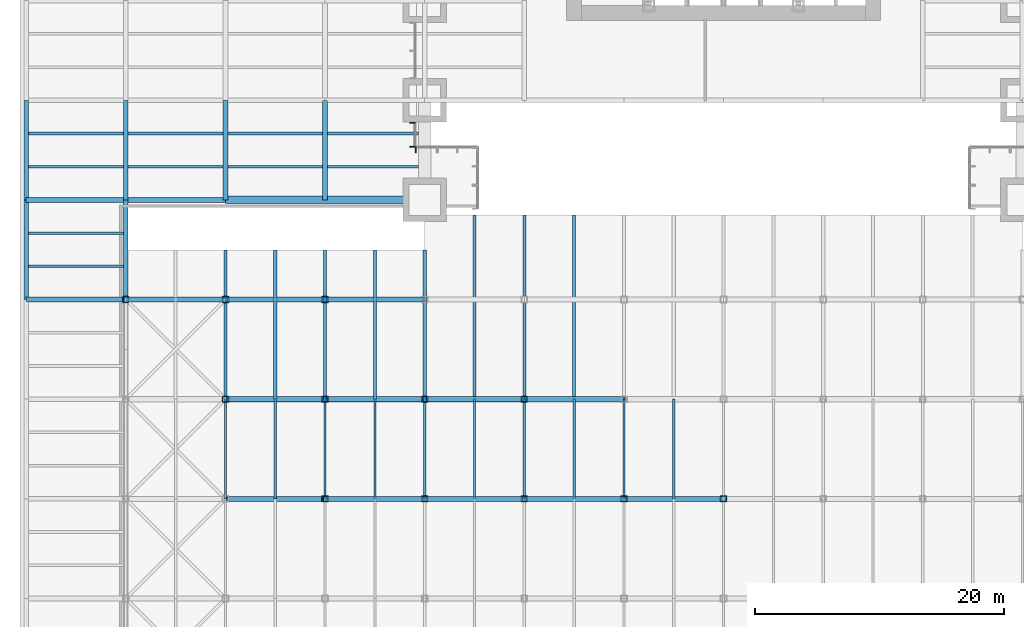
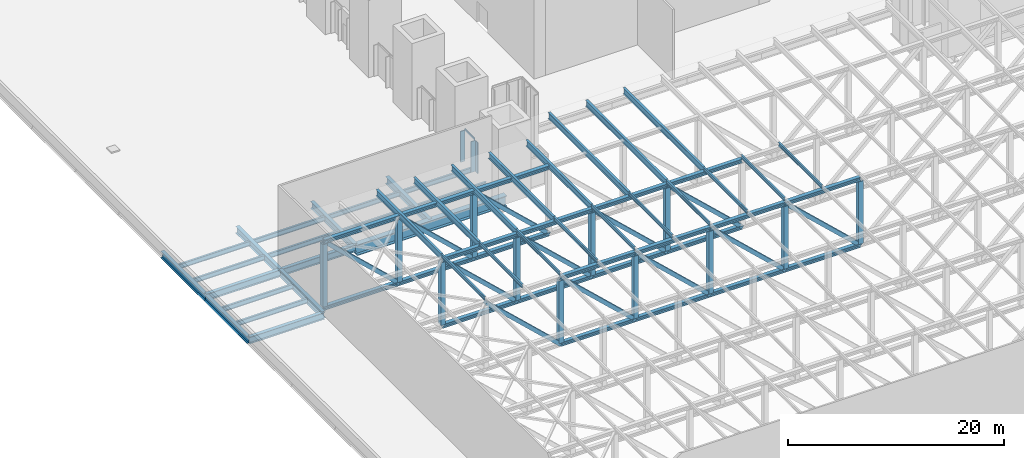
# One storey, part 3 of 20: 68 members, 20 beams, 2 elements without a shape of their own.
"""IFC4 building model written with IfcOpenShell, lengths in metres."""

from ifc_helpers import new_model, si_unit, direction, frame, origin, origin_2d, place, context, subcontext, project, spatial, rectangle, hollow_rectangle, i_section, extrude, material, material_profile, profile_set, type_object, element, aggregate, save


model = new_model("IFC4")

# Units and contexts
model_context = context("Model", 3, precision=1e-05, world=origin(), true_north=direction((0.0, 1.0)))
body_context = subcontext(model_context, "Body", "Model", "MODEL_VIEW")
ifc_project = project(units=[si_unit("LENGTHUNIT", "METRE"), si_unit("AREAUNIT", "SQUARE_METRE"), si_unit("VOLUMEUNIT", "CUBIC_METRE"), si_unit("PLANEANGLEUNIT", "RADIAN"), si_unit("MASSUNIT", "GRAM", prefix="KILO")], contexts=[model_context])

# Site, building, storey
site_placement = place(None, origin())
site = spatial("IfcSite", under=ifc_project, at=site_placement, CompositionType="ELEMENT")
building_placement = place(site_placement, origin())
building = spatial("IfcBuilding", under=site, at=building_placement, Name="Daluyong Arena Tower", CompositionType="ELEMENT")
storey_placement = place(building_placement, frame((0.0, 0.0, 25.89990234375)))
storey = spatial("IfcBuildingStorey", under=building, at=storey_placement, Name="L05", CompositionType="ELEMENT", Elevation=25.89990234375)

# Curtain wall, members
ifc_material_1 = material(Name="Bronze anodised aluminium and glass", Category="aluminium")
curtain_wall_type = type_object("IfcCurtainWallType", Name="Curtain wall CW6", PredefinedType="USERDEFINED", material=ifc_material_1)
curtain_wall_1_placement = place(storey_placement, origin())
curtain_wall_1 = element("IfcCurtainWall", 1, at=curtain_wall_1_placement, inside=storey, type_object=curtain_wall_type, Name="curtain wall L05 W bay 6", ObjectType="UNITISED CURTAIN WALL", PredefinedType="USERDEFINED")
ifc_material_2 = material(Name="Bronze anodised aluminium fin", Category="aluminium")
ifc_material_profile_1 = material_profile(ifc_material_2, rectangle(XDim=0.449951171875, YDim=0.080078125, at=origin_2d()))
ifc_profile_set_1 = profile_set([ifc_material_profile_1], Name="Bronze anodised aluminium fin")
member_type_1 = type_object("IfcMemberType", Name="CW6 bronze fin 450x80", PredefinedType="MULLION", material=ifc_profile_set_1)
member_1_placement = place(storey_placement, frame((31.02490234375, 62.2099609375, 0.0), z_axis=(0.0, 0.0, 1.0), x_axis=(1.0, 0.0, 0.0)))
member_1 = element("IfcMember", 2, at=member_1_placement, type_object=member_type_1, Name="curtain wall L05 W bay 6 fin 1", PredefinedType="MULLION", context=body_context, shape_type="SweptSolid", body=[
    extrude(rectangle(XDim=0.449951171875, YDim=0.080078125, at=origin_2d()), origin(), (0.0, 0.0, 1.0), 3.5),
])
member_2_placement = place(storey_placement, frame((31.02490234375, 60.2900390625, 0.0), z_axis=(0.0, 0.0, 1.0), x_axis=(1.0, 0.0, 0.0)))
member_2 = element("IfcMember", 3, at=member_2_placement, type_object=member_type_1, Name="curtain wall L05 W bay 6 fin 2", PredefinedType="MULLION", context=body_context, shape_type="SweptSolid", body=[
    extrude(rectangle(XDim=0.449951171875, YDim=0.080078125, at=origin_2d()), origin(), (0.0, 0.0, 1.0), 3.5),
])

# Curtain wall, member
curtain_wall_2_placement = place(storey_placement, origin())
curtain_wall_2 = element("IfcCurtainWall", 4, at=curtain_wall_2_placement, inside=storey, type_object=curtain_wall_type, Name="curtain wall L05 SW-S bay 1", ObjectType="UNITISED CURTAIN WALL", PredefinedType="USERDEFINED")
member_3_placement = place(storey_placement, frame((31.2900390625, 60.02490234375, 0.0), z_axis=(0.0, 0.0, 1.0), x_axis=(0.0, 1.0, 0.0)))
member_3 = element("IfcMember", 5, at=member_3_placement, type_object=member_type_1, Name="curtain wall L05 SW-S bay 1 fin 1", PredefinedType="MULLION", context=body_context, shape_type="SweptSolid", body=[
    extrude(rectangle(XDim=0.449951171875, YDim=0.080078125, at=origin_2d()), origin(), (0.0, 0.0, 1.0), 3.5),
])
aggregate(curtain_wall_2, [member_3])

# Member
ifc_material_3 = material(Name="Bronze anodised aluminium", Category="aluminium")
ifc_material_profile_2 = material_profile(ifc_material_3, rectangle(XDim=0.080078125, YDim=0.199951171875, at=origin_2d()))
ifc_profile_set_2 = profile_set([ifc_material_profile_2], Name="Bronze anodised aluminium")
member_type_2 = type_object("IfcMemberType", Name="CW6 stack transom 200x80", PredefinedType="USERDEFINED", material=ifc_profile_set_2)
member_4_placement = place(storey_placement, frame((31.25, 62.169921875, 3.60009765625), z_axis=(0.0, -1.0, 0.0), x_axis=(1.0, 0.0, 0.0)))
member_4 = element("IfcMember", 6, at=member_4_placement, type_object=member_type_2, Name="curtain wall L05 W bay 6 transom 1", ObjectType="TRANSOM", PredefinedType="USERDEFINED", context=body_context, shape_type="SweptSolid", body=[
    extrude(rectangle(XDim=0.080078125, YDim=0.199951171875, at=origin_2d()), origin(), (0.0, 0.0, 1.0), 1.83984375),
])

aggregate(curtain_wall_1, [member_1, member_2, member_4])

# Beams
ifc_material_4 = material(Name="Steel ASTM A992 Grade 50", Category="steel")
ifc_material_profile_3 = material_profile(ifc_material_4, i_section(OverallWidth=0.209228515625, OverallDepth=0.533447265625, WebThickness=0.01025390625, FlangeThickness=0.015625, at=origin_2d()))
ifc_profile_set_3 = profile_set([ifc_material_profile_3], Name="Steel ASTM A992 Grade 50")
beam_type_1 = type_object("IfcBeamType", Name="Podium floor beam W21X62", PredefinedType="BEAM", material=ifc_profile_set_3)
for number, where, z_axis, x_axis, name in (
    (7, (0.1904296875, 50.666748046875, -0.5166015625), (1.0, 0.0, 0.0), (0.0, 1.0, 0.0), "podium floor beam PB1"),
    (8, (0.1904296875, 53.333251953125, -0.5166015625), (1.0, 0.0, 0.0), (0.0, 1.0, 0.0), "podium floor beam PB1"),
    (9, (0.1904296875, 58.666748046875, -0.5166015625), (1.0, 0.0, 0.0), (0.0, 1.0, 0.0), "podium floor beam PB1"),
    (10, (0.1904296875, 61.333251953125, -0.5166015625), (1.0, 0.0, 0.0), (0.0, 1.0, 0.0), "podium floor beam PB1"),
    (11, (8.1904296875, 58.666748046875, -0.5166015625), (1.0, 0.0, 0.0), (0.0, 1.0, 0.0), "podium floor beam PB1"),
    (12, (8.1904296875, 61.333251953125, -0.5166015625), (1.0, 0.0, 0.0), (0.0, 1.0, 0.0), "podium floor beam PB1"),
    (13, (16.1904296875, 58.666748046875, -0.5166015625), (1.0, 0.0, 0.0), (0.0, 1.0, 0.0), "podium floor beam PB1"),
    (14, (16.1904296875, 61.333251953125, -0.5166015625), (1.0, 0.0, 0.0), (0.0, 1.0, 0.0), "podium floor beam PB1"),
):
    element("IfcBeam", number, at=place(storey_placement, frame(where, z_axis=z_axis, x_axis=x_axis)), inside=storey, type_object=beam_type_1, Name=name, PredefinedType="BEAM", context=body_context, shape_type="SweptSolid", body=[
        extrude(i_section(OverallWidth=0.209228515625, OverallDepth=0.533447265625, WebThickness=0.01025390625, FlangeThickness=0.015625, at=origin_2d()), origin(), (0.0, 0.0, 1.0), 7.619140625),
    ])
for number, where, z_axis, x_axis, name in (
    (15, (24.1904296875, 58.666748046875, -0.5166015625), (1.0, 0.0, 0.0), (0.0, 1.0, 0.0), "podium floor beam PB1"),
    (16, (24.1904296875, 61.333251953125, -0.5166015625), (1.0, 0.0, 0.0), (0.0, 1.0, 0.0), "podium floor beam PB1"),
):
    element("IfcBeam", number, at=place(storey_placement, frame(where, z_axis=z_axis, x_axis=x_axis)), inside=storey, type_object=beam_type_1, Name=name, PredefinedType="BEAM", context=body_context, shape_type="SweptSolid", body=[
        extrude(i_section(OverallWidth=0.209228515625, OverallDepth=0.533447265625, WebThickness=0.01025390625, FlangeThickness=0.015625, at=origin_2d()), origin(), (0.0, 0.0, 1.0), 7.3095703125),
    ])
ifc_material_5 = material(Name="Steel ASTM A992 Grade 50", Category="steel")
ifc_material_profile_4 = material_profile(ifc_material_5, i_section(OverallWidth=0.381103515625, OverallDepth=0.772216796875, WebThickness=0.0166015625, FlangeThickness=0.027099609375, at=origin_2d()))
ifc_profile_set_4 = profile_set([ifc_material_profile_4], Name="Steel ASTM A992 Grade 50")
beam_type_2 = type_object("IfcBeamType", Name="Podium girder W30X173", PredefinedType="BEAM", material=ifc_profile_set_4)
for number, where, z_axis, x_axis, name in (
    (17, (0.0, 48.0, -0.635986328125), (1.0, 0.0, 0.0), (0.0, 1.0, 0.0), "podium girder PG1"),
    (18, (0.0, 48.0, -0.635986328125), (0.0, 1.0, 0.0), (-1.0, 0.0, 0.0), "podium girder PG1"),
    (19, (0.0, 56.0, -0.635986328125), (1.0, 0.0, 0.0), (0.0, 1.0, 0.0), "podium girder PG1"),
    (20, (0.0, 56.0, -0.635986328125), (0.0, 1.0, 0.0), (-1.0, 0.0, 0.0), "podium girder PG1"),
    (21, (8.0, 48.0, -0.635986328125), (0.0, 1.0, 0.0), (-1.0, 0.0, 0.0), "podium girder PG1"),
    (22, (8.0, 56.0, -0.635986328125), (1.0, 0.0, 0.0), (0.0, 1.0, 0.0), "podium girder PG1"),
    (23, (8.0, 56.0, -0.635986328125), (0.0, 1.0, 0.0), (-1.0, 0.0, 0.0), "podium girder PG1"),
    (24, (16.0, 56.0, -0.635986328125), (0.0, 1.0, 0.0), (-1.0, 0.0, 0.0), "podium girder PG1"),
    (25, (24.0, 56.0, -0.635986328125), (0.0, 1.0, 0.0), (-1.0, 0.0, 0.0), "podium girder PG1"),
):
    element("IfcBeam", number, at=place(storey_placement, frame(where, z_axis=z_axis, x_axis=x_axis)), inside=storey, type_object=beam_type_2, Name=name, PredefinedType="BEAM", context=body_context, shape_type="SweptSolid", body=[
        extrude(i_section(OverallWidth=0.381103515625, OverallDepth=0.772216796875, WebThickness=0.0166015625, FlangeThickness=0.027099609375, at=origin_2d()), origin(), (0.0, 0.0, 1.0), 8.0),
    ])
ifc_material_6 = material(Name="Steel ASTM A572 Grade 50", Category="steel")
ifc_material_profile_5 = material_profile(ifc_material_6, i_section(OverallWidth=0.60009765625, OverallDepth=1.199951171875, WebThickness=0.03, FlangeThickness=0.08, at=origin_2d()))
ifc_profile_set_5 = profile_set([ifc_material_profile_5], Name="Steel ASTM A572 Grade 50")
beam_type_3 = type_object("IfcBeamType", Name="Podium roof long-span girder PG1200X600", PredefinedType="BEAM", material=ifc_profile_set_5)
beam_placement = place(storey_placement, frame((16.0, 56.0, -0.849853515625), z_axis=(1.0, 0.0, 0.0), x_axis=(0.0, 1.0, 0.0)))
element("IfcBeam", 26, at=beam_placement, inside=storey, type_object=beam_type_3, Name="podium roof long-span girder PL1", PredefinedType="BEAM", context=body_context, shape_type="SweptSolid", body=[
    extrude(i_section(OverallWidth=0.60009765625, OverallDepth=1.199951171875, WebThickness=0.03, FlangeThickness=0.08, at=origin_2d()), origin(), (0.0, 0.0, 1.0), 16.0),
])

# Members
ifc_material_7 = material(Name="Steel ASTM A992 Grade 50", Category="steel")
ifc_material_profile_6 = material_profile(ifc_material_7, i_section(OverallWidth=0.177734375, OverallDepth=0.406494140625, WebThickness=0.0078125, FlangeThickness=0.012939453125, at=origin_2d()))
ifc_profile_set_6 = profile_set([ifc_material_profile_6], Name="Steel ASTM A992 Grade 50")
member_type_3 = type_object("IfcMemberType", Name="Roof purlin W16X40", PredefinedType="PURLIN", material=ifc_profile_set_6)
for number, where, z_axis, x_axis, name in (
    (27, (16.0, 32.0, 8.1376953125), (0.0, 1.0, 0.0), (-1.0, 0.0, 0.0), "roof purlin RP1"),
    (28, (20.0, 32.0, 8.1376953125), (0.0, 1.0, 0.0), (-1.0, 0.0, 0.0), "roof purlin RP1"),
    (29, (24.0, 32.0, 8.1376953125), (0.0, 1.0, 0.0), (-1.0, 0.0, 0.0), "roof purlin RP1"),
    (30, (28.0, 32.0, 8.1376953125), (0.0, 1.0, 0.0), (-1.0, 0.0, 0.0), "roof purlin RP1"),
    (31, (32.0, 32.0, 8.1376953125), (0.0, 1.0, 0.0), (-1.0, 0.0, 0.0), "roof purlin RP1"),
    (32, (36.0, 32.0, 8.1376953125), (0.0, 1.0, 0.0), (-1.0, 0.0, 0.0), "roof purlin RP1"),
    (33, (40.0, 32.0, 8.1376953125), (0.0, 1.0, 0.0), (-1.0, 0.0, 0.0), "roof purlin RP1"),
    (34, (44.0, 32.0, 8.1376953125), (0.0, 1.0, 0.0), (-1.0, 0.0, 0.0), "roof purlin RP1"),
    (35, (48.0, 32.0, 8.1376953125), (0.0, 1.0, 0.0), (-1.0, 0.0, 0.0), "roof purlin RP1"),
    (36, (52.0, 32.0, 8.1376953125), (0.0, 1.0, 0.0), (-1.0, 0.0, 0.0), "roof purlin RP1"),
):
    element("IfcMember", number, at=place(storey_placement, frame(where, z_axis=z_axis, x_axis=x_axis)), inside=storey, type_object=member_type_3, Name=name, PredefinedType="PURLIN", context=body_context, shape_type="SweptSolid", body=[
        extrude(i_section(OverallWidth=0.177734375, OverallDepth=0.406494140625, WebThickness=0.0078125, FlangeThickness=0.012939453125, at=origin_2d()), origin(), (0.0, 0.0, 1.0), 8.0),
    ])
ifc_material_8 = material(Name="Steel ASTM A992 Grade 50", Category="steel")
ifc_material_profile_7 = material_profile(ifc_material_8, i_section(OverallWidth=0.25390625, OverallDepth=0.683349609375, WebThickness=0.012451171875, FlangeThickness=0.01904296875, at=origin_2d()))
ifc_profile_set_7 = profile_set([ifc_material_profile_7], Name="Steel ASTM A992 Grade 50")
member_type_4 = type_object("IfcMemberType", Name="Roof purlin W27X94", PredefinedType="PURLIN", material=ifc_profile_set_7)
for number, where, z_axis, x_axis, name in (
    (37, (16.0, 40.0, 7.999267578125), (0.0, 1.0, 0.0), (-1.0, 0.0, 0.0), "roof purlin RP2"),
    (38, (20.0, 40.0, 7.999267578125), (0.0, 1.0, 0.0), (-1.0, 0.0, 0.0), "roof purlin RP2"),
    (39, (24.0, 40.0, 7.999267578125), (0.0, 1.0, 0.0), (-1.0, 0.0, 0.0), "roof purlin RP2"),
    (40, (28.0, 40.0, 7.999267578125), (0.0, 1.0, 0.0), (-1.0, 0.0, 0.0), "roof purlin RP2"),
    (41, (32.0, 40.0, 7.999267578125), (0.0, 1.0, 0.0), (-1.0, 0.0, 0.0), "roof purlin RP2"),
):
    element("IfcMember", number, at=place(storey_placement, frame(where, z_axis=z_axis, x_axis=x_axis)), inside=storey, type_object=member_type_4, Name=name, PredefinedType="PURLIN", context=body_context, shape_type="SweptSolid", body=[
        extrude(i_section(OverallWidth=0.25390625, OverallDepth=0.683349609375, WebThickness=0.012451171875, FlangeThickness=0.01904296875, at=origin_2d()), origin(), (0.0, 0.0, 1.0), 12.0),
    ])
for number, where, z_axis, x_axis, name in (
    (42, (36.0, 40.0, 7.999267578125), (0.0, 1.0, 0.0), (-1.0, 0.0, 0.0), "roof purlin RP2"),
    (43, (40.0, 40.0, 7.999267578125), (0.0, 1.0, 0.0), (-1.0, 0.0, 0.0), "roof purlin RP2"),
    (44, (44.0, 40.0, 7.999267578125), (0.0, 1.0, 0.0), (-1.0, 0.0, 0.0), "roof purlin RP2"),
):
    element("IfcMember", number, at=place(storey_placement, frame(where, z_axis=z_axis, x_axis=x_axis)), inside=storey, type_object=member_type_4, Name=name, PredefinedType="PURLIN", context=body_context, shape_type="SweptSolid", body=[
        extrude(i_section(OverallWidth=0.25390625, OverallDepth=0.683349609375, WebThickness=0.012451171875, FlangeThickness=0.01904296875, at=origin_2d()), origin(), (0.0, 0.0, 1.0), 14.800048828125),
    ])
ifc_material_9 = material(Name="Steel ASTM A992 Grade 50", Category="steel")
ifc_material_profile_8 = material_profile(ifc_material_9, i_section(OverallWidth=0.411376953125, OverallDepth=0.434326171875, WebThickness=0.035888671875, FlangeThickness=0.057373046875, at=origin_2d()))
ifc_profile_set_8 = profile_set([ifc_material_profile_8], Name="Steel ASTM A992 Grade 50")
member_type_5 = type_object("IfcMemberType", Name="Roof truss chord W14X311", PredefinedType="CHORD", material=ifc_profile_set_8)
for number, where, z_axis, x_axis, name in (
    (45, (24.0, 32.0, 0.21728515625), (1.0, 0.0, 0.0), (0.0, 1.0, 0.0), "roof truss chord RT1"),
    (46, (32.0, 32.0, 0.21728515625), (1.0, 0.0, 0.0), (0.0, 1.0, 0.0), "roof truss chord RT1"),
    (47, (40.0, 32.0, 0.21728515625), (1.0, 0.0, 0.0), (0.0, 1.0, 0.0), "roof truss chord RT1"),
    (48, (48.0, 32.0, 0.21728515625), (1.0, 0.0, 0.0), (0.0, 1.0, 0.0), "roof truss chord RT1"),
    (49, (24.0, 32.0, 7.71728515625), (1.0, 0.0, 0.0), (0.0, 1.0, 0.0), "roof truss chord RT1"),
    (50, (32.0, 32.0, 7.71728515625), (1.0, 0.0, 0.0), (0.0, 1.0, 0.0), "roof truss chord RT1"),
    (51, (40.0, 32.0, 7.71728515625), (1.0, 0.0, 0.0), (0.0, 1.0, 0.0), "roof truss chord RT1"),
    (52, (48.0, 32.0, 7.71728515625), (1.0, 0.0, 0.0), (0.0, 1.0, 0.0), "roof truss chord RT1"),
    (53, (16.0, 40.0, 0.21728515625), (1.0, 0.0, 0.0), (0.0, 1.0, 0.0), "roof truss chord RT1"),
    (54, (24.0, 40.0, 0.21728515625), (1.0, 0.0, 0.0), (0.0, 1.0, 0.0), "roof truss chord RT1"),
    (55, (32.0, 40.0, 0.21728515625), (1.0, 0.0, 0.0), (0.0, 1.0, 0.0), "roof truss chord RT1"),
    (56, (40.0, 40.0, 0.21728515625), (1.0, 0.0, 0.0), (0.0, 1.0, 0.0), "roof truss chord RT1"),
    (57, (16.0, 40.0, 7.71728515625), (1.0, 0.0, 0.0), (0.0, 1.0, 0.0), "roof truss chord RT1"),
    (58, (24.0, 40.0, 7.71728515625), (1.0, 0.0, 0.0), (0.0, 1.0, 0.0), "roof truss chord RT1"),
    (59, (32.0, 40.0, 7.71728515625), (1.0, 0.0, 0.0), (0.0, 1.0, 0.0), "roof truss chord RT1"),
    (60, (40.0, 40.0, 7.71728515625), (1.0, 0.0, 0.0), (0.0, 1.0, 0.0), "roof truss chord RT1"),
    (61, (8.0, 48.0, 0.21728515625), (1.0, 0.0, 0.0), (0.0, 1.0, 0.0), "roof truss chord RT1"),
    (62, (16.0, 48.0, 0.21728515625), (1.0, 0.0, 0.0), (0.0, 1.0, 0.0), "roof truss chord RT1"),
    (63, (24.0, 48.0, 0.21728515625), (1.0, 0.0, 0.0), (0.0, 1.0, 0.0), "roof truss chord RT1"),
    (64, (8.0, 48.0, 7.71728515625), (1.0, 0.0, 0.0), (0.0, 1.0, 0.0), "roof truss chord RT1"),
    (65, (16.0, 48.0, 7.71728515625), (1.0, 0.0, 0.0), (0.0, 1.0, 0.0), "roof truss chord RT1"),
    (66, (24.0, 48.0, 7.71728515625), (1.0, 0.0, 0.0), (0.0, 1.0, 0.0), "roof truss chord RT1"),
):
    element("IfcMember", number, at=place(storey_placement, frame(where, z_axis=z_axis, x_axis=x_axis)), inside=storey, type_object=member_type_5, Name=name, PredefinedType="CHORD", context=body_context, shape_type="SweptSolid", body=[
        extrude(i_section(OverallWidth=0.411376953125, OverallDepth=0.434326171875, WebThickness=0.035888671875, FlangeThickness=0.057373046875, at=origin_2d()), origin(), (0.0, 0.0, 1.0), 8.0),
    ])
ifc_material_10 = material(Name="Steel ASTM A1085", Category="steel")
ifc_material_profile_9 = material_profile(ifc_material_10, hollow_rectangle(XDim=0.406494140625, YDim=0.406494140625, WallThickness=0.015869140625, at=origin_2d()))
ifc_profile_set_9 = profile_set([ifc_material_profile_9], Name="Steel ASTM A1085")
member_type_6 = type_object("IfcMemberType", Name="Roof truss diagonal HSS16X16X5/8", PredefinedType="BRACE", material=ifc_profile_set_9)
for number, where, z_axis, x_axis, name in (
    (67, (16.0, 32.0, 7.71728515625), (0.72953720414, 0.0, -0.683941128881), (0.0, 1.0, 0.0), "roof truss diagonal RD1"),
    (68, (24.0, 32.0, 7.71728515625), (0.72953720414, 0.0, -0.683941128881), (0.0, 1.0, 0.0), "roof truss diagonal RD1"),
    (69, (32.0, 32.0, 7.71728515625), (0.72953720414, 0.0, -0.683941128881), (0.0, 1.0, 0.0), "roof truss diagonal RD1"),
    (70, (40.0, 32.0, 7.71728515625), (0.72953720414, 0.0, -0.683941128881), (0.0, 1.0, 0.0), "roof truss diagonal RD1"),
    (71, (48.0, 32.0, 7.71728515625), (0.72953720414, 0.0, -0.683941128881), (0.0, 1.0, 0.0), "roof truss diagonal RD1"),
    (72, (16.0, 40.0, 7.71728515625), (0.72953720414, 0.0, -0.683941128881), (0.0, 1.0, 0.0), "roof truss diagonal RD1"),
    (73, (24.0, 40.0, 7.71728515625), (0.72953720414, 0.0, -0.683941128881), (0.0, 1.0, 0.0), "roof truss diagonal RD1"),
    (74, (32.0, 40.0, 7.71728515625), (0.72953720414, 0.0, -0.683941128881), (0.0, 1.0, 0.0), "roof truss diagonal RD1"),
    (75, (40.0, 40.0, 7.71728515625), (0.72953720414, 0.0, -0.683941128881), (0.0, 1.0, 0.0), "roof truss diagonal RD1"),
    (76, (8.0, 48.0, 7.71728515625), (0.72953720414, 0.0, -0.683941128881), (0.0, 1.0, 0.0), "roof truss diagonal RD1"),
    (77, (16.0, 48.0, 7.71728515625), (0.72953720414, 0.0, -0.683941128881), (0.0, 1.0, 0.0), "roof truss diagonal RD1"),
    (78, (24.0, 48.0, 7.71728515625), (0.72953720414, 0.0, -0.683941128881), (0.0, 1.0, 0.0), "roof truss diagonal RD1"),
):
    element("IfcMember", number, at=place(storey_placement, frame(where, z_axis=z_axis, x_axis=x_axis)), inside=storey, type_object=member_type_6, Name=name, PredefinedType="BRACE", context=body_context, shape_type="SweptSolid", body=[
        extrude(hollow_rectangle(XDim=0.406494140625, YDim=0.406494140625, WallThickness=0.015869140625, at=origin_2d()), origin(), (0.0, 0.0, 1.0), 10.9658203125),
    ])
ifc_material_11 = material(Name="Steel ASTM A572 Grade 50", Category="steel")
ifc_material_profile_10 = material_profile(ifc_material_11, hollow_rectangle(XDim=0.5, YDim=0.5, WallThickness=0.04, at=origin_2d()))
ifc_profile_set_10 = profile_set([ifc_material_profile_10], Name="Steel ASTM A572 Grade 50")
member_type_7 = type_object("IfcMemberType", Name="Roof truss post BX500X40", PredefinedType="POST", material=ifc_profile_set_10)
for number, where, z_axis, x_axis, name in (
    (79, (24.0, 32.0, 0.434326171875), (0.0, 0.0, 1.0), (1.0, 0.0, 0.0), "roof truss post RV1"),
    (80, (32.0, 32.0, 0.434326171875), (0.0, 0.0, 1.0), (1.0, 0.0, 0.0), "roof truss post RV1"),
    (81, (40.0, 32.0, 0.434326171875), (0.0, 0.0, 1.0), (1.0, 0.0, 0.0), "roof truss post RV1"),
    (82, (48.0, 32.0, 0.434326171875), (0.0, 0.0, 1.0), (1.0, 0.0, 0.0), "roof truss post RV1"),
    (83, (56.0, 32.0, 0.434326171875), (0.0, 0.0, 1.0), (1.0, 0.0, 0.0), "roof truss post RV1"),
    (84, (16.0, 40.0, 0.434326171875), (0.0, 0.0, 1.0), (1.0, 0.0, 0.0), "roof truss post RV1"),
    (85, (24.0, 40.0, 0.434326171875), (0.0, 0.0, 1.0), (1.0, 0.0, 0.0), "roof truss post RV1"),
    (86, (32.0, 40.0, 0.434326171875), (0.0, 0.0, 1.0), (1.0, 0.0, 0.0), "roof truss post RV1"),
    (87, (40.0, 40.0, 0.434326171875), (0.0, 0.0, 1.0), (1.0, 0.0, 0.0), "roof truss post RV1"),
    (88, (8.0, 48.0, 0.434326171875), (0.0, 0.0, 1.0), (1.0, 0.0, 0.0), "roof truss post RV1"),
    (89, (16.0, 48.0, 0.434326171875), (0.0, 0.0, 1.0), (1.0, 0.0, 0.0), "roof truss post RV1"),
    (90, (24.0, 48.0, 0.434326171875), (0.0, 0.0, 1.0), (1.0, 0.0, 0.0), "roof truss post RV1"),
):
    element("IfcMember", number, at=place(storey_placement, frame(where, z_axis=z_axis, x_axis=x_axis)), inside=storey, type_object=member_type_7, Name=name, PredefinedType="POST", context=body_context, shape_type="SweptSolid", body=[
        extrude(hollow_rectangle(XDim=0.5, YDim=0.5, WallThickness=0.04, at=origin_2d()), origin(), (0.0, 0.0, 1.0), 7.065673828125),
    ])

save(model, "model.ifc")
